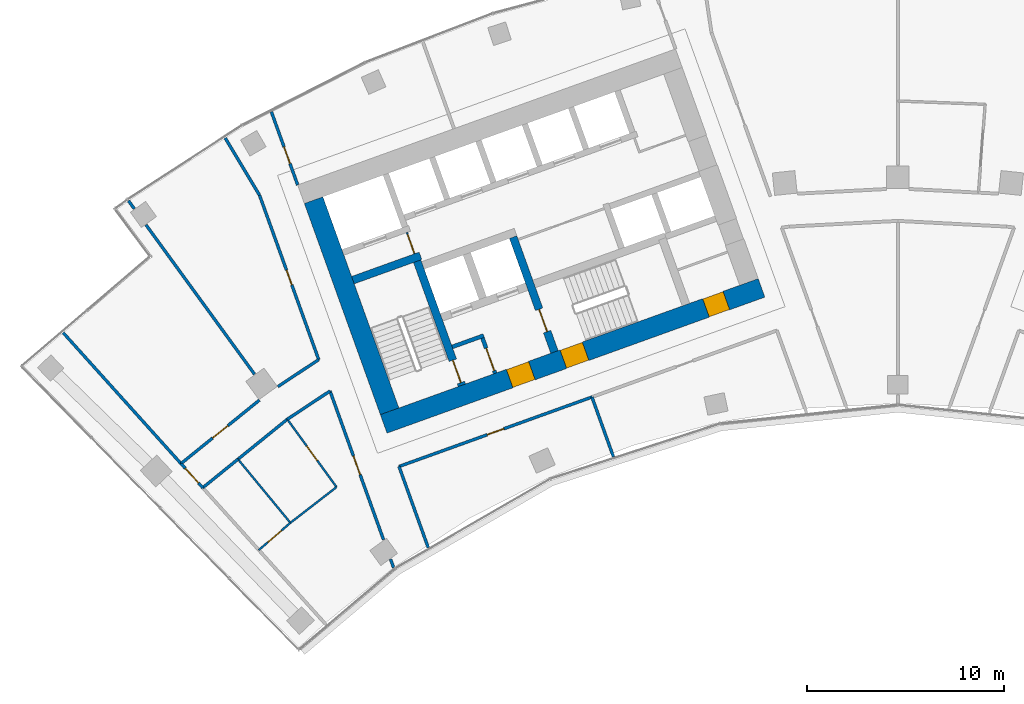
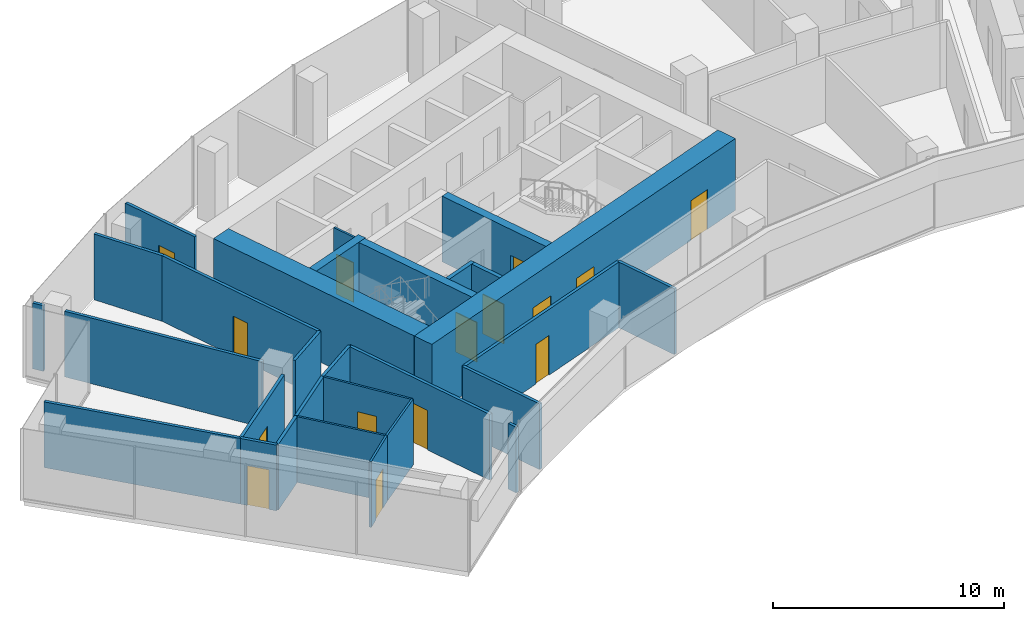
# One storey, part 12 of 18: 29 walls, 15 doors, 15 openings.
"""IFC4 building model written with IfcOpenShell, lengths in metres."""

from ifc_helpers import new_model, si_unit, direction, frame, frame_2d, origin, place, context, subcontext, project, spatial, rectangle, extrude, material, layer, layer_set, type_object, element, fill, save


model = new_model("IFC4")

# Units and contexts
model_context = context("Model", 3, precision=1e-05, world=origin(), true_north=direction((0.0, 1.0)))
body_context = subcontext(model_context, "Body", "Model", "MODEL_VIEW")
ifc_project = project(units=[si_unit("LENGTHUNIT", "METRE"), si_unit("AREAUNIT", "SQUARE_METRE"), si_unit("VOLUMEUNIT", "CUBIC_METRE"), si_unit("PLANEANGLEUNIT", "RADIAN"), si_unit("MASSUNIT", "GRAM", prefix="KILO")], contexts=[model_context])

# Site, building, storey
site_placement = place(None, origin())
site = spatial("IfcSite", under=ifc_project, at=site_placement, CompositionType="ELEMENT")
building_placement = place(site_placement, origin())
building = spatial("IfcBuilding", under=site, at=building_placement, Name="Stone Belt Terrace Tower", CompositionType="ELEMENT")
storey_placement = place(building_placement, frame((0.0, 0.0, 220.0)))
storey = spatial("IfcBuildingStorey", under=building, at=storey_placement, Name="L53", CompositionType="ELEMENT", Elevation=220.0)

# Wall, opening, door
ifc_material_1 = material(Name="Plasterboard partition")
ifc_layer_1 = layer(ifc_material_1, 0.10009765625)
ifc_layer_set_1 = layer_set([ifc_layer_1], Name="Core partition 100")
wall_type_1 = type_object("IfcWallType", Name="Core partition 100", PredefinedType="PARTITIONING", material=ifc_layer_set_1)
wall_1_placement = place(storey_placement, frame((-24.555908203125, 51.10400390625, 0.0), z_axis=(0.0, 0.0, 1.0), x_axis=(-0.338621735342, 0.94092258999, 0.0)))
wall_1 = element("IfcWall", 1, at=wall_1_placement, inside=storey, type_object=wall_type_1, Name="Core A wall", PredefinedType="PARTITIONING", context=body_context, shape_type="SweptSolid", body=[
    extrude(rectangle(XDim=1.14990234375, YDim=0.10009765625, at=frame_2d((0.574951171875, 0.0))), origin(), (0.0, 0.0, 1.0), 3.47998046875),
])
opening_1_placement = place(wall_1_placement, frame((0.050048828125, 0.0, 0.0)))
opening_1 = element("IfcOpeningElement", 2, at=opening_1_placement, cuts=wall_1, Name="Opening L53-C03", PredefinedType="OPENING", context=body_context, shape_type="SweptSolid", body=[
    extrude(rectangle(XDim=1.0, YDim=2.10009765625, at=frame_2d((0.5, 1.050048828125))), frame((0.0, 0.06005859375, 0.0), z_axis=(0.0, -1.0, 0.0), x_axis=(1.0, 0.0, 0.0)), (0.0, 0.0, 1.0), 0.1201171875),
])
ifc_material_2 = material(Name="Timber door leaf", Category="wood")
door_type_1 = type_object("IfcDoorType", Name="Core room door 1000", OperationType="SINGLE_SWING_LEFT", PredefinedType="DOOR", material=ifc_material_2)
door_1_placement = place(opening_1_placement, origin())
door_1 = element("IfcDoor", 3, at=door_1_placement, inside=storey, type_object=door_type_1, Name="Service lift lobby door core A", OperationType="SINGLE_SWING_LEFT", OverallHeight=2.10009765625, OverallWidth=1.0, PredefinedType="DOOR", context=body_context, shape_type="SweptSolid", body=[
    extrude(rectangle(XDim=1.0, YDim=2.10009765625, at=frame_2d((0.5, 1.050048828125))), frame((0.0, 0.02490234375, 0.0), z_axis=(0.0, -1.0, 0.0), x_axis=(1.0, 0.0, 0.0)), (0.0, 0.0, 1.0), 0.050048828125),
])
fill(opening_1, door_1)

# Wall, openings, doors
ifc_material_3 = material(Name="Concrete B60", Category="concrete")
ifc_layer_2 = layer(ifc_material_3, 1.0)
ifc_layer_set_2 = layer_set([ifc_layer_2], Name="Core wall 1000 B60")
wall_type_2 = type_object("IfcWallType", Name="Core wall 1000 B60", PredefinedType="SHEAR", material=ifc_layer_set_2)
wall_2_placement = place(storey_placement, frame((-26.122314453125, 42.462890625, 0.0), z_axis=(0.0, 0.0, 1.0), x_axis=(0.940921428504, 0.338624962727, 0.0)))
wall_2 = element("IfcWall", 4, at=wall_2_placement, inside=storey, type_object=wall_type_2, Name="Core A wall concave L53", PredefinedType="SHEAR", context=body_context, shape_type="SweptSolid", body=[
    extrude(rectangle(XDim=20.400146484375, YDim=1.0, at=frame_2d((10.2001953125, 0.0))), origin(), (0.0, 0.0, 1.0), 3.800048828125),
])
opening_2_placement = place(wall_2_placement, frame((6.800048828125, 0.0, 0.0)))
opening_2 = element("IfcOpeningElement", 5, at=opening_2_placement, cuts=wall_2, Name="Opening L53-C07", PredefinedType="OPENING", context=body_context, shape_type="SweptSolid", body=[
    extrude(rectangle(XDim=1.199951171875, YDim=2.10009765625, at=frame_2d((0.60009765625, 1.050048828125))), frame((0.0, 0.510009765625, 0.0), z_axis=(0.0, -1.0, 0.0), x_axis=(1.0, 0.0, 0.0)), (0.0, 0.0, 1.0), 1.02001953125),
])
opening_3_placement = place(wall_2_placement, frame((9.699951171875, 0.0, 0.0)))
opening_3 = element("IfcOpeningElement", 6, at=opening_3_placement, cuts=wall_2, Name="Opening L53-C09", PredefinedType="OPENING", context=body_context, shape_type="SweptSolid", body=[
    extrude(rectangle(XDim=1.199951171875, YDim=2.10009765625, at=frame_2d((0.60009765625, 1.050048828125))), frame((0.0, 0.510009765625, 0.0), z_axis=(0.0, -1.0, 0.0), x_axis=(1.0, 0.0, 0.0)), (0.0, 0.0, 1.0), 1.02001953125),
])
opening_4_placement = place(wall_2_placement, frame((17.400146484375, 0.0, 0.0)))
opening_4 = element("IfcOpeningElement", 7, at=opening_4_placement, cuts=wall_2, Name="Opening L53-C11", PredefinedType="OPENING", context=body_context, shape_type="SweptSolid", body=[
    extrude(rectangle(XDim=1.10009765625, YDim=2.10009765625, at=frame_2d((0.550048828125, 1.050048828125))), frame((0.0, 0.510009765625, 0.0), z_axis=(0.0, -1.0, 0.0), x_axis=(1.0, 0.0, 0.0)), (0.0, 0.0, 1.0), 1.02001953125),
])
door_type_2 = type_object("IfcDoorType", Name="Core room door 1100", OperationType="SINGLE_SWING_LEFT", PredefinedType="DOOR", material=ifc_material_2)
door_2_placement = place(opening_4_placement, origin())
door_2 = element("IfcDoor", 8, at=door_2_placement, inside=storey, type_object=door_type_2, Name="Door to Cleaner's store core A", OperationType="SINGLE_SWING_LEFT", OverallHeight=2.10009765625, OverallWidth=1.10009765625, PredefinedType="DOOR", context=body_context, shape_type="SweptSolid", body=[
    extrude(rectangle(XDim=1.10009765625, YDim=2.10009765625, at=frame_2d((0.550048828125, 1.050048828125))), frame((0.0, 0.47998046875, 0.0), z_axis=(0.0, -1.0, 0.0), x_axis=(1.0, 0.0, 0.0)), (0.0, 0.0, 1.0), 0.9599609375),
])
fill(opening_4, door_2)
ifc_material_4 = material(Name="Steel door leaf", Category="steel")
door_type_3 = type_object("IfcDoorType", Name="Fire-fighting lobby door 1200", OperationType="SINGLE_SWING_LEFT", PredefinedType="DOOR", material=ifc_material_4)
door_3_placement = place(opening_2_placement, origin())
door_3 = element("IfcDoor", 9, at=door_3_placement, inside=storey, type_object=door_type_3, Name="Fire-fighting lobby door core A", OperationType="SINGLE_SWING_LEFT", OverallHeight=2.10009765625, OverallWidth=1.199951171875, PredefinedType="DOOR", context=body_context, shape_type="SweptSolid", body=[
    extrude(rectangle(XDim=1.199951171875, YDim=2.10009765625, at=frame_2d((0.60009765625, 1.050048828125))), frame((0.0, 0.47998046875, 0.0), z_axis=(0.0, -1.0, 0.0), x_axis=(1.0, 0.0, 0.0)), (0.0, 0.0, 1.0), 0.9599609375),
])
fill(opening_2, door_3)
door_type_4 = type_object("IfcDoorType", Name="Stair door 1200", OperationType="SINGLE_SWING_LEFT", PredefinedType="DOOR", material=ifc_material_4)
door_4_placement = place(opening_3_placement, origin())
door_4 = element("IfcDoor", 10, at=door_4_placement, inside=storey, type_object=door_type_4, Name="Stair 2 exit door core A", OperationType="SINGLE_SWING_RIGHT", OverallHeight=2.10009765625, OverallWidth=1.199951171875, PredefinedType="DOOR", context=body_context, shape_type="SweptSolid", body=[
    extrude(rectangle(XDim=1.199951171875, YDim=2.10009765625, at=frame_2d((0.60009765625, 1.050048828125))), frame((0.0, 0.47998046875, 0.0), z_axis=(0.0, -1.0, 0.0), x_axis=(1.0, 0.0, 0.0)), (0.0, 0.0, 1.0), 0.9599609375),
])
fill(opening_3, door_4)

# Wall
wall_3_placement = place(storey_placement, frame((-25.821044921875, 43.102783203125, 0.0), z_axis=(0.0, 0.0, 1.0), x_axis=(-0.338625431531, 0.940921259788, 0.0)))
element("IfcWall", 11, at=wall_3_placement, inside=storey, type_object=wall_type_2, Name="Core A wall end_a L53", PredefinedType="SHEAR", context=body_context, shape_type="SweptSolid", body=[
    extrude(rectangle(XDim=11.400146484375, YDim=1.0, at=frame_2d((5.7001953125, 0.0))), origin(), (0.0, 0.0, 1.0), 3.800048828125),
])

# Wall, opening, door
ifc_material_5 = material(Name="Gypsum board partition")
ifc_layer_3 = layer(ifc_material_5, 0.10009765625)
ifc_layer_set_3 = layer_set([ifc_layer_3], Name="PARTITION 100")
wall_type_3 = type_object("IfcWallType", Name="PARTITION 100", PredefinedType="PARTITIONING", material=ifc_layer_set_3)
wall_4_placement = place(storey_placement, frame((-32.465087890625, 36.055908203125, 0.0), z_axis=(0.0, 0.0, 1.0), x_axis=(0.75756921421, 0.652754843476, 0.0)))
wall_4 = element("IfcWall", 12, at=wall_4_placement, inside=storey, type_object=wall_type_3, Name="L53/wall/i041", PredefinedType="PARTITIONING", context=body_context, shape_type="SweptSolid", body=[
    extrude(rectangle(XDim=2.1171875, YDim=0.10009765625, at=frame_2d((1.05859375, 0.0))), origin(), (0.0, 0.0, 1.0), 3.47998046875),
])
opening_5_placement = place(wall_4_placement, frame((0.608642578125, 0.0, 0.0)))
opening_5 = element("IfcOpeningElement", 13, at=opening_5_placement, cuts=wall_4, Name="Opening D-D3-11", PredefinedType="OPENING", context=body_context, shape_type="SweptSolid", body=[
    extrude(rectangle(XDim=0.89990234375, YDim=2.10009765625, at=frame_2d((0.449951171875, 1.050048828125))), frame((0.0, 0.06005859375, 0.0), z_axis=(0.0, -1.0, 0.0), x_axis=(1.0, 0.0, 0.0)), (0.0, 0.0, 1.0), 0.1201171875),
])
door_type_5 = type_object("IfcDoorType", Name="OFFICE DOOR 900 X 2100", OperationType="NOTDEFINED", PredefinedType="DOOR", material=ifc_material_2)
door_5_placement = place(opening_5_placement, origin())
door_5 = element("IfcDoor", 14, at=door_5_placement, inside=storey, type_object=door_type_5, Name="L53/door/i11", OperationType="SINGLE_SWING_RIGHT", OverallHeight=2.10009765625, OverallWidth=0.89990234375, PredefinedType="DOOR", context=body_context, shape_type="SweptSolid", body=[
    extrude(rectangle(XDim=0.89990234375, YDim=2.10009765625, at=frame_2d((0.449951171875, 1.050048828125))), frame((0.0, 0.02490234375, 0.0), z_axis=(0.0, -1.0, 0.0), x_axis=(1.0, 0.0, 0.0)), (0.0, 0.0, 1.0), 0.050048828125),
])
fill(opening_5, door_5)

# Wall
wall_5_placement = place(storey_placement, frame((-30.861083984375, 37.43798828125, 0.0), z_axis=(0.0, 0.0, 1.0), x_axis=(0.790721134515, 0.612176516562, 0.0)))
element("IfcWall", 15, at=wall_5_placement, inside=storey, type_object=wall_type_3, Name="L53/wall/i042", PredefinedType="PARTITIONING", context=body_context, shape_type="SweptSolid", body=[
    extrude(rectangle(XDim=2.963134765625, YDim=0.10009765625, at=frame_2d((1.4814453125, 0.0))), origin(), (0.0, 0.0, 1.0), 3.47998046875),
])

# Wall, opening, door
wall_6_placement = place(storey_placement, frame((-28.51708984375, 39.2529296875, 0.0), z_axis=(0.0, 0.0, 1.0), x_axis=(-0.587735122858, 0.809053413169, 0.0)))
wall_6 = element("IfcWall", 16, at=wall_6_placement, inside=storey, type_object=wall_type_3, Name="L53/wall/i043", PredefinedType="PARTITIONING", context=body_context, shape_type="SweptSolid", body=[
    extrude(rectangle(XDim=4.2568359375, YDim=0.10009765625, at=frame_2d((2.12841796875, 0.0))), origin(), (0.0, 0.0, 1.0), 3.47998046875),
])
opening_6_placement = place(wall_6_placement, frame((1.678466796875, 0.0, 0.0)))
opening_6 = element("IfcOpeningElement", 17, at=opening_6_placement, cuts=wall_6, Name="Opening D-D3-12", PredefinedType="OPENING", context=body_context, shape_type="SweptSolid", body=[
    extrude(rectangle(XDim=0.89990234375, YDim=2.10009765625, at=frame_2d((0.449951171875, 1.050048828125))), frame((0.0, 0.06005859375, 0.0), z_axis=(0.0, -1.0, 0.0), x_axis=(1.0, 0.0, 0.0)), (0.0, 0.0, 1.0), 0.1201171875),
])
door_6_placement = place(opening_6_placement, origin())
door_6 = element("IfcDoor", 18, at=door_6_placement, inside=storey, type_object=door_type_5, Name="L53/door/i12", OperationType="SINGLE_SWING_RIGHT", OverallHeight=2.10009765625, OverallWidth=0.89990234375, PredefinedType="DOOR", context=body_context, shape_type="SweptSolid", body=[
    extrude(rectangle(XDim=0.89990234375, YDim=2.10009765625, at=frame_2d((0.449951171875, 1.050048828125))), frame((0.0, 0.02490234375, 0.0), z_axis=(0.0, -1.0, 0.0), x_axis=(1.0, 0.0, 0.0)), (0.0, 0.0, 1.0), 0.050048828125),
])
fill(opening_6, door_6)

# Walls
wall_7_placement = place(storey_placement, frame((-33.52392578125, 40.66796875, 0.0), z_axis=(0.0, 0.0, 1.0), x_axis=(0.636113972955, -0.771595109764, 0.0)))
element("IfcWall", 19, at=wall_7_placement, inside=storey, type_object=wall_type_3, Name="L53/wall/i044", PredefinedType="PARTITIONING", context=body_context, shape_type="SweptSolid", body=[
    extrude(rectangle(XDim=4.18603515625, YDim=0.10009765625, at=frame_2d((2.093017578125, 0.0))), origin(), (0.0, 0.0, 1.0), 3.47998046875),
])
ifc_layer_4 = layer(ifc_material_5, 0.14990234375)
ifc_layer_set_4 = layer_set([ifc_layer_4], Name="PARTITION 150 EI 60")
wall_type_4 = type_object("IfcWallType", Name="PARTITION 150 EI 60", PredefinedType="PARTITIONING", material=ifc_layer_set_4)
wall_8_placement = place(storey_placement, frame((-25.344970703125, 40.304931640625, 0.0), z_axis=(0.0, 0.0, 1.0), x_axis=(0.338603151709, -0.94092927771, 0.0)))
element("IfcWall", 20, at=wall_8_placement, inside=storey, type_object=wall_type_4, Name="L53/wall/i001", PredefinedType="PARTITIONING", context=body_context, shape_type="SweptSolid", body=[
    extrude(rectangle(XDim=4.38525390625, YDim=0.14990234375, at=frame_2d((2.192626953125, 0.0))), origin(), (0.0, 0.0, 1.0), 3.47998046875),
])

# Wall, opening, door
wall_9_placement = place(storey_placement, frame((-31.826904296875, 58.314208984375, 0.0), z_axis=(0.0, 0.0, 1.0), x_axis=(0.338542007836, -0.940951278723, 0.0)))
wall_9 = element("IfcWall", 21, at=wall_9_placement, inside=storey, type_object=wall_type_4, Name="L53/wall/i002", PredefinedType="PARTITIONING", context=body_context, shape_type="SweptSolid", body=[
    extrude(rectangle(XDim=3.946044921875, YDim=0.14990234375, at=frame_2d((1.97314453125, 0.0))), origin(), (0.0, 0.0, 1.0), 3.47998046875),
])
opening_7_placement = place(wall_9_placement, frame((1.889892578125, 0.0, 0.0)))
opening_7 = element("IfcOpeningElement", 22, at=opening_7_placement, cuts=wall_9, Name="Opening D-D3-03", PredefinedType="OPENING", context=body_context, shape_type="SweptSolid", body=[
    extrude(rectangle(XDim=0.89990234375, YDim=2.10009765625, at=frame_2d((0.449951171875, 1.050048828125))), frame((0.0, 0.0849609375, 0.0), z_axis=(0.0, -1.0, 0.0), x_axis=(1.0, 0.0, 0.0)), (0.0, 0.0, 1.0), 0.169921875),
])
door_7_placement = place(opening_7_placement, origin())
door_7 = element("IfcDoor", 23, at=door_7_placement, inside=storey, type_object=door_type_5, Name="L53/door/i03", OperationType="SINGLE_SWING_RIGHT", OverallHeight=2.10009765625, OverallWidth=0.89990234375, PredefinedType="DOOR", context=body_context, shape_type="SweptSolid", body=[
    extrude(rectangle(XDim=0.89990234375, YDim=2.10009765625, at=frame_2d((0.449951171875, 1.050048828125))), frame((0.0, 0.02490234375, 0.0), z_axis=(0.0, -1.0, 0.0), x_axis=(1.0, 0.0, 0.0)), (0.0, 0.0, 1.0), 0.050048828125),
])
fill(opening_7, door_7)

# Wall
wall_10_placement = place(storey_placement, frame((-25.619140625, 35.159912109375, 0.0), z_axis=(0.0, 0.0, 1.0), x_axis=(-0.338377097513, 0.941010594988, 0.0)))
element("IfcWall", 24, at=wall_10_placement, inside=storey, type_object=wall_type_4, Name="L53/wall/i003", PredefinedType="PARTITIONING", context=body_context, shape_type="SweptSolid", body=[
    extrude(rectangle(XDim=0.45458984375, YDim=0.14990234375, at=frame_2d((0.227294921875, 0.0))), origin(), (0.0, 0.0, 1.0), 3.47998046875),
])

# Wall, opening, door
wall_11_placement = place(storey_placement, frame((-26.129150390625, 36.577392578125, 0.0), z_axis=(0.0, 0.0, 1.0), x_axis=(-0.338625862553, 0.940921104668, 0.0)))
wall_11 = element("IfcWall", 25, at=wall_11_placement, inside=storey, type_object=wall_type_4, Name="L53/wall/i004", PredefinedType="PARTITIONING", context=body_context, shape_type="SweptSolid", body=[
    extrude(rectangle(XDim=8.03515625, YDim=0.14990234375, at=frame_2d((4.017578125, 0.0))), origin(), (0.0, 0.0, 1.0), 3.47998046875),
])
opening_8_placement = place(wall_11_placement, frame((3.517578125, 0.0, 0.0)))
opening_8 = element("IfcOpeningElement", 26, at=opening_8_placement, cuts=wall_11, Name="Opening D-D3-10", PredefinedType="OPENING", context=body_context, shape_type="SweptSolid", body=[
    extrude(rectangle(XDim=1.0, YDim=2.10009765625, at=frame_2d((0.5, 1.050048828125))), frame((0.0, 0.0849609375, 0.0), z_axis=(0.0, -1.0, 0.0), x_axis=(1.0, 0.0, 0.0)), (0.0, 0.0, 1.0), 0.169921875),
])
ifc_material_6 = material(Name="Timber fire door leaf", Category="wood")
door_type_6 = type_object("IfcDoorType", Name="TENANCY ENTRANCE DOOR 1000 X 2100", OperationType="NOTDEFINED", PredefinedType="DOOR", material=ifc_material_6)
door_8_placement = place(opening_8_placement, origin())
door_8 = element("IfcDoor", 27, at=door_8_placement, inside=storey, type_object=door_type_6, Name="L53/door/i10", OperationType="SINGLE_SWING_RIGHT", OverallHeight=2.10009765625, OverallWidth=1.0, PredefinedType="DOOR", context=body_context, shape_type="SweptSolid", body=[
    extrude(rectangle(XDim=1.0, YDim=2.10009765625, at=frame_2d((0.5, 1.050048828125))), frame((0.0, 0.02490234375, 0.0), z_axis=(0.0, -1.0, 0.0), x_axis=(1.0, 0.0, 0.0)), (0.0, 0.0, 1.0), 0.050048828125),
])
fill(opening_8, door_8)

wall_12_placement = place(storey_placement, frame((-29.4208984375, 45.721923828125, 0.0), z_axis=(0.0, 0.0, 1.0), x_axis=(-0.338648394699, 0.940912995323, 0.0)))
wall_12 = element("IfcWall", 28, at=wall_12_placement, inside=storey, type_object=wall_type_4, Name="L53/wall/i005", PredefinedType="PARTITIONING", context=body_context, shape_type="SweptSolid", body=[
    extrude(rectangle(XDim=8.879638671875, YDim=0.14990234375, at=frame_2d((4.43994140625, 0.0))), origin(), (0.0, 0.0, 1.0), 3.47998046875),
])
opening_9_placement = place(wall_12_placement, frame((4.039794921875, 0.0, 0.0)))
opening_9 = element("IfcOpeningElement", 29, at=opening_9_placement, cuts=wall_12, Name="Opening D-D3-13", PredefinedType="OPENING", context=body_context, shape_type="SweptSolid", body=[
    extrude(rectangle(XDim=0.800048828125, YDim=2.10009765625, at=frame_2d((0.39990234375, 1.050048828125))), frame((0.0, 0.0849609375, 0.0), z_axis=(0.0, -1.0, 0.0), x_axis=(1.0, 0.0, 0.0)), (0.0, 0.0, 1.0), 0.169921875),
])
door_type_7 = type_object("IfcDoorType", Name="STORE DOOR 800 X 2100", OperationType="NOTDEFINED", PredefinedType="DOOR", material=ifc_material_2)
door_9_placement = place(opening_9_placement, origin())
door_9 = element("IfcDoor", 30, at=door_9_placement, inside=storey, type_object=door_type_7, Name="L53/door/i13", OperationType="SINGLE_SWING_LEFT", OverallHeight=2.10009765625, OverallWidth=0.800048828125, PredefinedType="DOOR", context=body_context, shape_type="SweptSolid", body=[
    extrude(rectangle(XDim=0.800048828125, YDim=2.10009765625, at=frame_2d((0.39990234375, 1.050048828125))), frame((0.0, 0.02490234375, 0.0), z_axis=(0.0, -1.0, 0.0), x_axis=(1.0, 0.0, 0.0)), (0.0, 0.0, 1.0), 0.050048828125),
])
fill(opening_9, door_9)

# Wall
wall_13_placement = place(storey_placement, frame((-32.427978515625, 54.076904296875, 0.0), z_axis=(0.0, 0.0, 1.0), x_axis=(-0.514199724078, 0.857670475042, 0.0)))
element("IfcWall", 31, at=wall_13_placement, inside=storey, type_object=wall_type_4, Name="L53/wall/i006", PredefinedType="PARTITIONING", context=body_context, shape_type="SweptSolid", body=[
    extrude(rectangle(XDim=3.396240234375, YDim=0.14990234375, at=frame_2d((1.6982421875, 0.0))), origin(), (0.0, 0.0, 1.0), 3.47998046875),
])

# Wall, opening, door
wall_14_placement = place(storey_placement, frame((-15.537109375, 43.827880859375, 0.0), z_axis=(0.0, 0.0, 1.0), x_axis=(-0.940927721448, -0.338607476306, 0.0)))
wall_14 = element("IfcWall", 32, at=wall_14_placement, inside=storey, type_object=wall_type_4, Name="L53/wall/i012", PredefinedType="PARTITIONING", context=body_context, shape_type="SweptSolid", body=[
    extrude(rectangle(XDim=10.421630859375, YDim=0.14990234375, at=frame_2d((5.2109375, 0.0))), origin(), (0.0, 0.0, 1.0), 3.47998046875),
])
opening_10_placement = place(wall_14_placement, frame((4.7607421875, 0.0, 0.0)))
opening_10 = element("IfcOpeningElement", 33, at=opening_10_placement, cuts=wall_14, Name="Opening D-D3-01", PredefinedType="OPENING", context=body_context, shape_type="SweptSolid", body=[
    extrude(rectangle(XDim=0.89990234375, YDim=2.10009765625, at=frame_2d((0.449951171875, 1.050048828125))), frame((0.0, 0.0849609375, 0.0), z_axis=(0.0, -1.0, 0.0), x_axis=(1.0, 0.0, 0.0)), (0.0, 0.0, 1.0), 0.169921875),
])
door_10_placement = place(opening_10_placement, origin())
door_10 = element("IfcDoor", 34, at=door_10_placement, inside=storey, type_object=door_type_5, Name="L53/door/i01", OperationType="SINGLE_SWING_RIGHT", OverallHeight=2.10009765625, OverallWidth=0.89990234375, PredefinedType="DOOR", context=body_context, shape_type="SweptSolid", body=[
    extrude(rectangle(XDim=0.89990234375, YDim=2.10009765625, at=frame_2d((0.449951171875, 1.050048828125))), frame((0.0, 0.02490234375, 0.0), z_axis=(0.0, -1.0, 0.0), x_axis=(1.0, 0.0, 0.0)), (0.0, 0.0, 1.0), 0.050048828125),
])
fill(opening_10, door_10)

# Wall
wall_15_placement = place(storey_placement, frame((-15.54296875, 43.825927734375, 0.0), z_axis=(0.0, 0.0, 1.0), x_axis=(0.338427160109, -0.940992591523, 0.0)))
element("IfcWall", 35, at=wall_15_placement, inside=storey, type_object=wall_type_4, Name="L53/wall/i014", PredefinedType="PARTITIONING", context=body_context, shape_type="SweptSolid", body=[
    extrude(rectangle(XDim=3.223876953125, YDim=0.14990234375, at=frame_2d((1.61181640625, 0.0))), origin(), (0.0, 0.0, 1.0), 3.47998046875),
])

# Wall, opening, door
wall_16_placement = place(storey_placement, frame((-35.30908203125, 39.214111328125, 0.0), z_axis=(0.0, 0.0, 1.0), x_axis=(-0.668818666109, 0.743425579237, 0.0)))
wall_16 = element("IfcWall", 36, at=wall_16_placement, inside=storey, type_object=wall_type_4, Name="L53/wall/i032", PredefinedType="PARTITIONING", context=body_context, shape_type="SweptSolid", body=[
    extrude(rectangle(XDim=1.662353515625, YDim=0.14990234375, at=frame_2d((0.8310546875, 0.0))), origin(), (0.0, 0.0, 1.0), 3.47998046875),
])
opening_11_placement = place(wall_16_placement, frame((0.331298828125, 0.0, 0.0)))
opening_11 = element("IfcOpeningElement", 37, at=opening_11_placement, cuts=wall_16, Name="Opening D-D3-09", PredefinedType="OPENING", context=body_context, shape_type="SweptSolid", body=[
    extrude(rectangle(XDim=1.0, YDim=2.10009765625, at=frame_2d((0.5, 1.050048828125))), frame((0.0, 0.0849609375, 0.0), z_axis=(0.0, -1.0, 0.0), x_axis=(1.0, 0.0, 0.0)), (0.0, 0.0, 1.0), 0.169921875),
])
door_11_placement = place(opening_11_placement, origin())
door_11 = element("IfcDoor", 38, at=door_11_placement, inside=storey, type_object=door_type_6, Name="L53/door/i09", OperationType="SINGLE_SWING_RIGHT", OverallHeight=2.10009765625, OverallWidth=1.0, PredefinedType="DOOR", context=body_context, shape_type="SweptSolid", body=[
    extrude(rectangle(XDim=1.0, YDim=2.10009765625, at=frame_2d((0.5, 1.050048828125))), frame((0.0, 0.02490234375, 0.0), z_axis=(0.0, -1.0, 0.0), x_axis=(1.0, 0.0, 0.0)), (0.0, 0.0, 1.0), 0.050048828125),
])
fill(opening_11, door_11)

# Walls
wall_17_placement = place(storey_placement, frame((-42.406982421875, 47.097412109375, 0.0), z_axis=(0.0, 0.0, 1.0), x_axis=(0.669092727087, -0.743178930379, 0.0)))
element("IfcWall", 39, at=wall_17_placement, inside=storey, type_object=wall_type_4, Name="L53/wall/i035", PredefinedType="PARTITIONING", context=body_context, shape_type="SweptSolid", body=[
    extrude(rectangle(XDim=8.956787109375, YDim=0.14990234375, at=frame_2d((4.478515625, 0.0))), origin(), (0.0, 0.0, 1.0), 3.47998046875),
])
wall_18_placement = place(storey_placement, frame((-28.84912109375, 44.132080078125, 0.0), z_axis=(0.0, 0.0, 1.0), x_axis=(-0.834036299229, -0.551709571757, 0.0)))
element("IfcWall", 40, at=wall_18_placement, inside=storey, type_object=wall_type_4, Name="L53/wall/i036", PredefinedType="PARTITIONING", context=body_context, shape_type="SweptSolid", body=[
    extrude(rectangle(XDim=2.602783203125, YDim=0.14990234375, at=frame_2d((1.30126953125, 0.0))), origin(), (0.0, 0.0, 1.0), 3.47998046875),
])
wall_19_placement = place(storey_placement, frame((-33.52001953125, 40.672119140625, 0.0), z_axis=(0.0, 0.0, 1.0), x_axis=(-0.776890002881, -0.629636342204, 0.0)))
element("IfcWall", 41, at=wall_19_placement, inside=storey, type_object=wall_type_4, Name="L53/wall/i037", PredefinedType="PARTITIONING", context=body_context, shape_type="SweptSolid", body=[
    extrude(rectangle(XDim=2.307861328125, YDim=0.14990234375, at=frame_2d((1.15380859375, 0.0))), origin(), (0.0, 0.0, 1.0), 3.47998046875),
])
wall_20_placement = place(storey_placement, frame((-31.02001953125, 42.696044921875, 0.0), z_axis=(0.0, 0.0, 1.0), x_axis=(-0.777114544424, -0.629359185875, 0.0)))
element("IfcWall", 42, at=wall_20_placement, inside=storey, type_object=wall_type_4, Name="L53/wall/i038", PredefinedType="PARTITIONING", context=body_context, shape_type="SweptSolid", body=[
    extrude(rectangle(XDim=3.228759765625, YDim=0.14990234375, at=frame_2d((1.6142578125, 0.0))), origin(), (0.0, 0.0, 1.0), 3.47998046875),
])
wall_21_placement = place(storey_placement, frame((-31.49755859375, 44.3564453125, 0.0), z_axis=(0.0, 0.0, 1.0), x_axis=(0.834158700869, 0.551524488817, 0.0)))
element("IfcWall", 43, at=wall_21_placement, inside=storey, type_object=wall_type_4, Name="L53/wall/i039", PredefinedType="PARTITIONING", context=body_context, shape_type="SweptSolid", body=[
    extrude(rectangle(XDim=2.48681640625, YDim=0.14990234375, at=frame_2d((1.243408203125, 0.0))), origin(), (0.0, 0.0, 1.0), 3.47998046875),
])

# Wall, opening, door
wall_22_placement = place(storey_placement, frame((-36.4169921875, 40.446044921875, 0.0), z_axis=(0.0, 0.0, 1.0), x_axis=(0.777143842092, 0.629323008238, 0.0)))
wall_22 = element("IfcWall", 44, at=wall_22_placement, inside=storey, type_object=wall_type_4, Name="L53/wall/i040", PredefinedType="PARTITIONING", context=body_context, shape_type="SweptSolid", body=[
    extrude(rectangle(XDim=5.12158203125, YDim=0.14990234375, at=frame_2d((2.560791015625, 0.0))), origin(), (0.0, 0.0, 1.0), 3.47998046875),
])
opening_12_placement = place(wall_22_placement, frame((2.060791015625, 0.0, 0.0)))
opening_12 = element("IfcOpeningElement", 45, at=opening_12_placement, cuts=wall_22, Name="Opening D-D3-14", PredefinedType="OPENING", context=body_context, shape_type="SweptSolid", body=[
    extrude(rectangle(XDim=1.0, YDim=2.10009765625, at=frame_2d((0.5, 1.050048828125))), frame((0.0, 0.0849609375, 0.0), z_axis=(0.0, -1.0, 0.0), x_axis=(1.0, 0.0, 0.0)), (0.0, 0.0, 1.0), 0.169921875),
])
door_12_placement = place(opening_12_placement, origin())
door_12 = element("IfcDoor", 46, at=door_12_placement, inside=storey, type_object=door_type_6, Name="L53/door/i14", OperationType="SINGLE_SWING_RIGHT", OverallHeight=2.10009765625, OverallWidth=1.0, PredefinedType="DOOR", context=body_context, shape_type="SweptSolid", body=[
    extrude(rectangle(XDim=1.0, YDim=2.10009765625, at=frame_2d((0.5, 1.050048828125))), frame((0.0, 0.02490234375, 0.0), z_axis=(0.0, -1.0, 0.0), x_axis=(1.0, 0.0, 0.0)), (0.0, 0.0, 1.0), 0.050048828125),
])
fill(opening_12, door_12)

# Walls
wall_23_placement = place(storey_placement, frame((-32.68359375, 44.985595703125, 0.0), z_axis=(0.0, 0.0, 1.0), x_axis=(-0.587803280862, 0.809003895545, 0.0)))
element("IfcWall", 47, at=wall_23_placement, inside=storey, type_object=wall_type_4, Name="L53/wall/i045", PredefinedType="PARTITIONING", context=body_context, shape_type="SweptSolid", body=[
    extrude(rectangle(XDim=9.37939453125, YDim=0.14990234375, at=frame_2d((4.689697265625, 0.0))), origin(), (0.0, 0.0, 1.0), 3.47998046875),
])
wall_24_placement = place(storey_placement, frame((-38.790283203125, 53.390625, 0.0), z_axis=(0.0, 0.0, 1.0), x_axis=(-0.588200388098, 0.808715217763, 0.0)))
element("IfcWall", 48, at=wall_24_placement, inside=storey, type_object=wall_type_4, Name="L53/wall/i046", PredefinedType="PARTITIONING", context=body_context, shape_type="SweptSolid", body=[
    extrude(rectangle(XDim=0.505859375, YDim=0.14990234375, at=frame_2d((0.2529296875, 0.0))), origin(), (0.0, 0.0, 1.0), 3.47998046875),
])
ifc_material_7 = material(Name="Concrete masonry block", Category="masonry")
ifc_layer_5 = layer(ifc_material_7, 0.199951171875)
ifc_layer_set_5 = layer_set([ifc_layer_5], Name="Rated lobby wall 200")
wall_type_5 = type_object("IfcWallType", Name="Rated lobby wall 200", PredefinedType="PARTITIONING", material=ifc_layer_set_5)
wall_25_placement = place(storey_placement, frame((-22.640625, 46.373046875, 0.0), z_axis=(0.0, 0.0, 1.0), x_axis=(0.940966110313, 0.338500781747, 0.0)))
element("IfcWall", 49, at=wall_25_placement, inside=storey, type_object=wall_type_5, Name="Core A wall", PredefinedType="PARTITIONING", context=body_context, shape_type="SweptSolid", body=[
    extrude(rectangle(XDim=1.699951171875, YDim=0.199951171875, at=frame_2d((0.85009765625, 0.0))), origin(), (0.0, 0.0, 1.0), 3.47998046875),
])

# Wall, opening, door
wall_26_placement = place(storey_placement, frame((-20.4580078125, 45.032958984375, 0.0), z_axis=(0.0, 0.0, 1.0), x_axis=(-0.338573865316, 0.940939816208, 0.0)))
wall_26 = element("IfcWall", 50, at=wall_26_placement, inside=storey, type_object=wall_type_5, Name="Core A wall", PredefinedType="PARTITIONING", context=body_context, shape_type="SweptSolid", body=[
    extrude(rectangle(XDim=1.900146484375, YDim=0.199951171875, at=frame_2d((0.9501953125, 0.0))), origin(), (0.0, 0.0, 1.0), 3.47998046875),
])
opening_13_placement = place(wall_26_placement, frame((0.14990234375, 0.0, 0.0)))
opening_13 = element("IfcOpeningElement", 51, at=opening_13_placement, cuts=wall_26, Name="Opening L53-C06", PredefinedType="OPENING", context=body_context, shape_type="SweptSolid", body=[
    extrude(rectangle(XDim=1.199951171875, YDim=2.10009765625, at=frame_2d((0.60009765625, 1.050048828125))), frame((0.0, 0.10986328125, 0.0), z_axis=(0.0, -1.0, 0.0), x_axis=(1.0, 0.0, 0.0)), (0.0, 0.0, 1.0), 0.219970703125),
])
door_13_placement = place(opening_13_placement, origin())
door_13 = element("IfcDoor", 52, at=door_13_placement, inside=storey, type_object=door_type_4, Name="Stair airlock door core A", OperationType="SINGLE_SWING_LEFT", OverallHeight=2.10009765625, OverallWidth=1.199951171875, PredefinedType="DOOR", context=body_context, shape_type="SweptSolid", body=[
    extrude(rectangle(XDim=1.199951171875, YDim=2.10009765625, at=frame_2d((0.60009765625, 1.050048828125))), frame((0.0, 0.02490234375, 0.0), z_axis=(0.0, -1.0, 0.0), x_axis=(1.0, 0.0, 0.0)), (0.0, 0.0, 1.0), 0.050048828125),
])
fill(opening_13, door_13)

# Wall
ifc_material_8 = material(Name="Concrete B80", Category="concrete")
ifc_layer_6 = layer(ifc_material_8, 0.39990234375)
ifc_layer_set_6 = layer_set([ifc_layer_6], Name="Stair enclosure wall 400")
wall_type_6 = type_object("IfcWallType", Name="Stair enclosure wall 400", PredefinedType="SHEAR", material=ifc_layer_set_6)
wall_27_placement = place(storey_placement, frame((-27.687255859375, 49.764404296875, 0.0), z_axis=(0.0, 0.0, 1.0), x_axis=(0.940918954884, 0.338631835981, 0.0)))
element("IfcWall", 53, at=wall_27_placement, inside=storey, type_object=wall_type_6, Name="Core A wall", PredefinedType="SHEAR", context=body_context, shape_type="SweptSolid", body=[
    extrude(rectangle(XDim=3.650146484375, YDim=0.39990234375, at=frame_2d((1.8251953125, 0.0))), origin(), (0.0, 0.0, 1.0), 3.47998046875),
])

# Wall, opening, door
wall_28_placement = place(storey_placement, frame((-22.151611328125, 44.42333984375, 0.0), z_axis=(0.0, 0.0, 1.0), x_axis=(-0.338625272931, 0.940921316866, 0.0)))
wall_28 = element("IfcWall", 54, at=wall_28_placement, inside=storey, type_object=wall_type_6, Name="Core A wall", PredefinedType="SHEAR", context=body_context, shape_type="SweptSolid", body=[
    extrude(rectangle(XDim=6.699951171875, YDim=0.39990234375, at=frame_2d((3.35009765625, 0.0))), origin(), (0.0, 0.0, 1.0), 3.47998046875),
])
opening_14_placement = place(wall_28_placement, frame((0.14990234375, 0.0, 0.0)))
opening_14 = element("IfcOpeningElement", 55, at=opening_14_placement, cuts=wall_28, Name="Opening L53-C05", PredefinedType="OPENING", context=body_context, shape_type="SweptSolid", body=[
    extrude(rectangle(XDim=1.199951171875, YDim=2.10009765625, at=frame_2d((0.60009765625, 1.050048828125))), frame((0.0, 0.2099609375, 0.0), z_axis=(0.0, -1.0, 0.0), x_axis=(1.0, 0.0, 0.0)), (0.0, 0.0, 1.0), 0.419921875),
])
door_14_placement = place(opening_14_placement, origin())
door_14 = element("IfcDoor", 56, at=door_14_placement, inside=storey, type_object=door_type_4, Name="Stair 1 door core A", OperationType="SINGLE_SWING_LEFT", OverallHeight=2.10009765625, OverallWidth=1.199951171875, PredefinedType="DOOR", context=body_context, shape_type="SweptSolid", body=[
    extrude(rectangle(XDim=1.199951171875, YDim=2.10009765625, at=frame_2d((0.60009765625, 1.050048828125))), frame((0.0, 0.02490234375, 0.0), z_axis=(0.0, -1.0, 0.0), x_axis=(1.0, 0.0, 0.0)), (0.0, 0.0, 1.0), 0.050048828125),
])
fill(opening_14, door_14)

wall_29_placement = place(storey_placement, frame((-17.447021484375, 46.116455078125, 0.0), z_axis=(0.0, 0.0, 1.0), x_axis=(-0.33860791464, 0.940927563707, 0.0)))
wall_29 = element("IfcWall", 57, at=wall_29_placement, inside=storey, type_object=wall_type_6, Name="Core A wall", PredefinedType="SHEAR", context=body_context, shape_type="SweptSolid", body=[
    extrude(rectangle(XDim=6.199951171875, YDim=0.39990234375, at=frame_2d((3.10009765625, 0.0))), origin(), (0.0, 0.0, 1.0), 3.47998046875),
])
opening_15_placement = place(wall_29_placement, frame((1.10009765625, 0.0, 0.0)))
opening_15 = element("IfcOpeningElement", 58, at=opening_15_placement, cuts=wall_29, Name="Opening L53-C08", PredefinedType="OPENING", context=body_context, shape_type="SweptSolid", body=[
    extrude(rectangle(XDim=1.199951171875, YDim=2.10009765625, at=frame_2d((0.60009765625, 1.050048828125))), frame((0.0, 0.2099609375, 0.0), z_axis=(0.0, -1.0, 0.0), x_axis=(1.0, 0.0, 0.0)), (0.0, 0.0, 1.0), 0.419921875),
])
door_15_placement = place(opening_15_placement, origin())
door_15 = element("IfcDoor", 59, at=door_15_placement, inside=storey, type_object=door_type_4, Name="Stair 2 door core A", OperationType="SINGLE_SWING_LEFT", OverallHeight=2.10009765625, OverallWidth=1.199951171875, PredefinedType="DOOR", context=body_context, shape_type="SweptSolid", body=[
    extrude(rectangle(XDim=1.199951171875, YDim=2.10009765625, at=frame_2d((0.60009765625, 1.050048828125))), frame((0.0, 0.02490234375, 0.0), z_axis=(0.0, -1.0, 0.0), x_axis=(1.0, 0.0, 0.0)), (0.0, 0.0, 1.0), 0.050048828125),
])
fill(opening_15, door_15)

save(model, "model.ifc")
